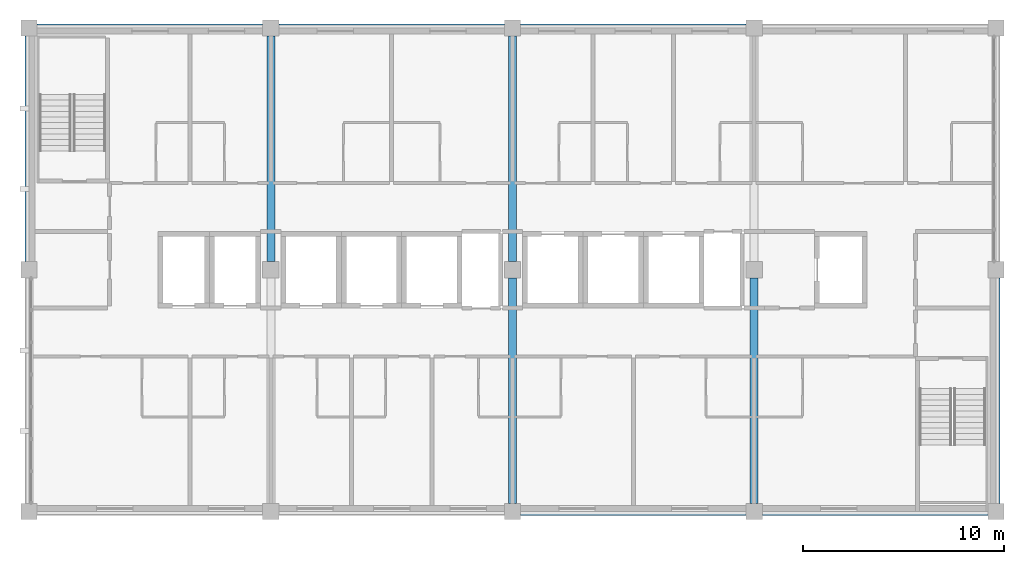
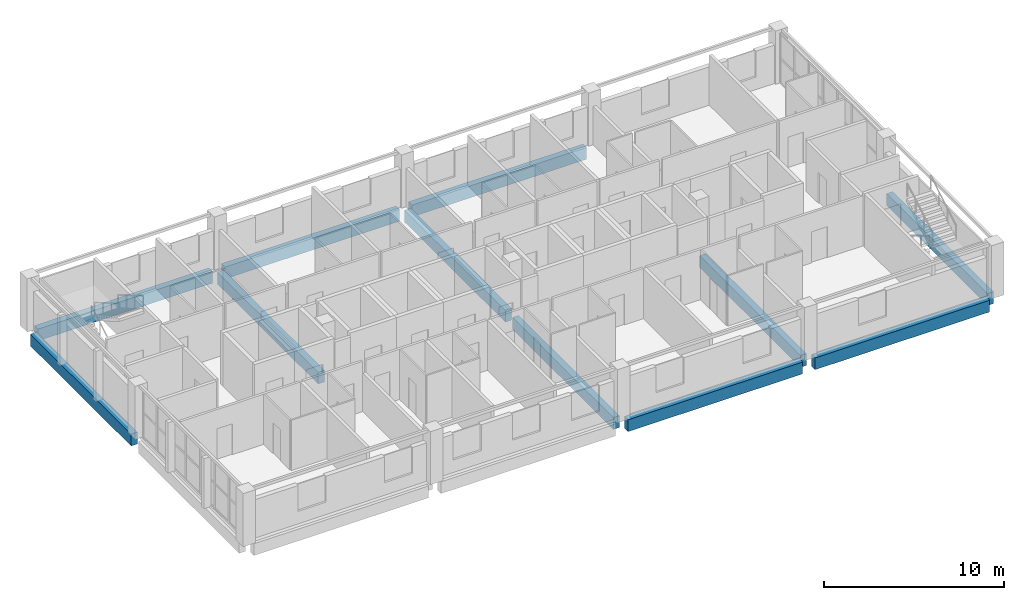
# One storey, part 3 of 11: 11 beams.
"""IFC4 building model written with IfcOpenShell, lengths in metres."""

from ifc_helpers import new_model, si_unit, direction, frame, origin, origin_2d, place, context, subcontext, project, spatial, rectangle, extrude, material, material_profile, profile_set, type_object, element, save


model = new_model("IFC4")

# Units and contexts
model_context = context("Model", 3, precision=1e-05, world=origin(), true_north=direction((0.0, 1.0)))
body_context = subcontext(model_context, "Body", "Model", "MODEL_VIEW")
ifc_project = project(units=[si_unit("LENGTHUNIT", "METRE"), si_unit("AREAUNIT", "SQUARE_METRE"), si_unit("VOLUMEUNIT", "CUBIC_METRE"), si_unit("PLANEANGLEUNIT", "RADIAN"), si_unit("MASSUNIT", "GRAM", prefix="KILO")], contexts=[model_context])

# Site, building, storey
site_placement = place(None, origin())
site = spatial("IfcSite", under=ifc_project, at=site_placement, CompositionType="ELEMENT")
building_placement = place(site_placement, origin())
building = spatial("IfcBuilding", under=site, at=building_placement, Name="Lilac Gate Convention Centre", CompositionType="ELEMENT")
storey_placement = place(building_placement, frame((0.0, 0.0, 46.199951171875)))
storey = spatial("IfcBuildingStorey", under=building, at=storey_placement, Name="L11", CompositionType="ELEMENT", Elevation=46.199951171875)

# Beams
ifc_material = material(Name="Concrete C40", Category="concrete")
ifc_material_profile = material_profile(ifc_material, rectangle(XDim=0.39990234375, YDim=0.800048828125, at=origin_2d()), Name="RC 400x800")
ifc_profile_set = profile_set([ifc_material_profile], Name="Concrete C40")
beam_type = type_object("IfcBeamType", Name="Tower primary beam 400x800 C40", PredefinedType="BEAM", material=ifc_profile_set)
for number, where, z_axis, x_axis, name in (
    (1, (66.39990234375, 222.0, -0.599853515625), (1.0, 0.0, 0.0), (0.0, 1.0, 0.0), "RB3 L11 6/S-7/S"),
    (2, (78.39990234375, 222.0, -0.599853515625), (1.0, 0.0, 0.0), (0.0, 1.0, 0.0), "RB3 L11 7/S-8/S"),
    (3, (42.39990234375, 246.0, -0.599853515625), (1.0, 0.0, 0.0), (0.0, 1.0, 0.0), "RB3 L11 4/U-5/U"),
    (4, (54.39990234375, 246.0, -0.599853515625), (1.0, 0.0, 0.0), (0.0, 1.0, 0.0), "RB3 L11 5/U-6/U"),
    (5, (66.39990234375, 246.0, -0.599853515625), (1.0, 0.0, 0.0), (0.0, 1.0, 0.0), "RB3 L11 6/U-7/U"),
    (6, (42.0, 234.39990234375, -0.599853515625), (0.0, 1.0, 0.0), (-1.0, 0.0, 0.0), "RB3 L11 4/T-4/U"),
    (7, (54.0, 234.39990234375, -0.599853515625), (0.0, 1.0, 0.0), (-1.0, 0.0, 0.0), "RB3 L11 5/T-5/U"),
    (8, (66.0, 222.39990234375, -0.599853515625), (0.0, 1.0, 0.0), (-1.0, 0.0, 0.0), "RB3 L11 6/S-6/T"),
    (9, (66.0, 234.39990234375, -0.599853515625), (0.0, 1.0, 0.0), (-1.0, 0.0, 0.0), "RB3 L11 6/T-6/U"),
    (10, (78.0, 222.39990234375, -0.599853515625), (0.0, 1.0, 0.0), (-1.0, 0.0, 0.0), "RB3 L11 7/S-7/T"),
    (11, (90.0, 222.39990234375, -0.599853515625), (0.0, 1.0, 0.0), (-1.0, 0.0, 0.0), "RB3 L11 8/S-8/T"),
):
    element("IfcBeam", number, at=place(storey_placement, frame(where, z_axis=z_axis, x_axis=x_axis)), inside=storey, type_object=beam_type, Name=name, PredefinedType="BEAM", context=body_context, shape_type="SweptSolid", body=[
        extrude(rectangle(XDim=0.39990234375, YDim=0.800048828125, at=origin_2d()), origin(), (0.0, 0.0, 1.0), 11.2001953125),
    ])

save(model, "model.ifc")
